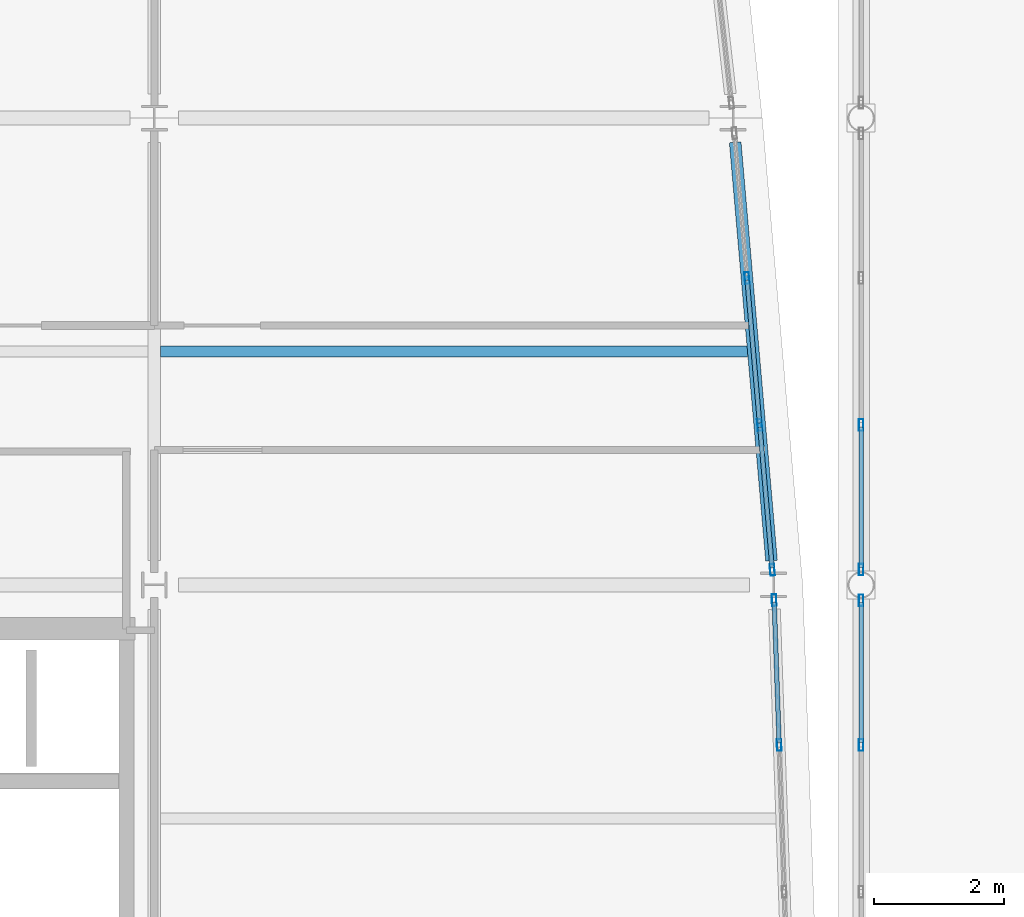
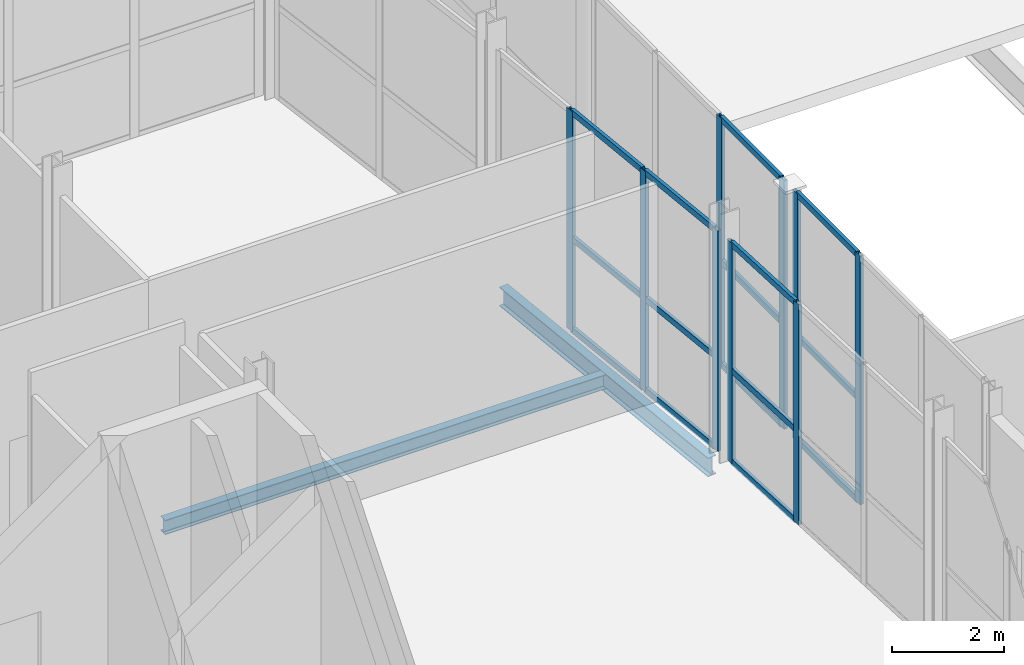
# One storey, part 32 of 83: 24 members, 2 beams, 4 elements without a shape of their own.
"""IFC4 building model written with IfcOpenShell, lengths in metres."""

from ifc_helpers import new_model, si_unit, direction, frame, origin, origin_2d, place, context, subcontext, project, spatial, hollow_rectangle, i_section, extrude, material, layer, layer_set, material_profile, profile_set, type_object, element, aggregate, save


model = new_model("IFC4")

# Units and contexts
model_context = context("Model", 3, precision=1e-05, world=origin(), true_north=direction((0.0, 1.0)))
body_context = subcontext(model_context, "Body", "Model", "MODEL_VIEW")
ifc_project = project(units=[si_unit("LENGTHUNIT", "METRE"), si_unit("AREAUNIT", "SQUARE_METRE"), si_unit("VOLUMEUNIT", "CUBIC_METRE"), si_unit("PLANEANGLEUNIT", "RADIAN"), si_unit("MASSUNIT", "GRAM", prefix="KILO")], contexts=[model_context])

# Site, building, storey
site_placement = place(None, origin())
site = spatial("IfcSite", under=ifc_project, at=site_placement, CompositionType="ELEMENT")
building_placement = place(site_placement, origin())
building = spatial("IfcBuilding", under=site, at=building_placement, Name="Quillay Park Conservatory", CompositionType="ELEMENT")
storey_placement = place(building_placement, origin())
storey = spatial("IfcBuildingStorey", under=building, at=storey_placement, Name="L00", CompositionType="ELEMENT", Elevation=0.0)

# Beam
ifc_material_1 = material(Name="Steel ASTM A992 Grade 50", Category="steel")
ifc_material_profile_1 = material_profile(ifc_material_1, i_section(OverallWidth=0.166015625, OverallDepth=0.31298828125, WebThickness=0.006591796875, FlangeThickness=0.01123046875, FilletRadius=0.010009765625, at=origin_2d()), Name="W310x45")
ifc_profile_set_1 = profile_set([ifc_material_profile_1], Name="Steel ASTM A992 Grade 50")
beam_type_1 = type_object("IfcBeamType", Name="COMPOSITE FLOOR JOIST W310 X45", PredefinedType="JOIST", material=ifc_profile_set_1)
beam_1_placement = place(storey_placement, frame((19.845947265625, 103.199951171875, -0.406494140625), z_axis=(1.0, 0.0, 0.0), x_axis=(0.0, 1.0, 0.0)))
element("IfcBeam", 1, at=beam_1_placement, inside=storey, type_object=beam_type_1, Name="L00 beam BM-J-0099", PredefinedType="JOIST", context=body_context, shape_type="SweptSolid", body=[
    extrude(i_section(OverallWidth=0.166015625, OverallDepth=0.31298828125, WebThickness=0.006591796875, FlangeThickness=0.01123046875, FilletRadius=0.010009765625, at=origin_2d()), origin(), (0.0, 0.0, 1.0), 9.051513671875),
])

# Curtain wall, members
ifc_material_2 = material(Name="Thermally Broken Anodised Aluminium 6063-T6", Category="aluminium")
ifc_layer_1 = layer(ifc_material_2, 0.179931640625)
ifc_layer_set_1 = layer_set([ifc_layer_1], Name="UNITISED CURTAIN WALL TOWER (Thermally Broken Anodised Aluminium 6063-T6)")
curtain_wall_type_1 = type_object("IfcCurtainWallType", Name="UNITISED CURTAIN WALL TOWER", PredefinedType="USERDEFINED", material=ifc_layer_set_1)
curtain_wall_1_placement = place(storey_placement, origin())
curtain_wall_1 = element("IfcCurtainWall", 2, at=curtain_wall_1_placement, inside=storey, type_object=curtain_wall_type_1, Name="L00 Unitised Curtain Wall 005", ObjectType="UNITISED CURTAIN WALL", PredefinedType="USERDEFINED")
ifc_material_3 = material(Name="Thermally Broken Anodised Aluminium 6063-T6", Category="aluminium")
ifc_material_profile_2 = material_profile(ifc_material_3, hollow_rectangle(XDim=0.070068359375, YDim=0.179931640625, WallThickness=0.00390625, at=origin_2d()), Name="AL70x180x4")
ifc_profile_set_2 = profile_set([ifc_material_profile_2], Name="Thermally Broken Anodised Aluminium 6063-T6")
member_type_1 = type_object("IfcMemberType", Name="CURTAIN WALL MULLION 70 X180", PredefinedType="MULLION", material=ifc_profile_set_2)
member_1_placement = place(storey_placement, frame((29.30810546875, 99.365234375, 0.0), z_axis=(0.0, 0.0, 1.0), x_axis=(0.999397310446, 0.034713338537, 0.0)))
member_1 = element("IfcMember", 3, at=member_1_placement, type_object=member_type_1, Name="CW-T1 mullion 1", PredefinedType="MULLION", context=body_context, shape_type="SweptSolid", body=[
    extrude(hollow_rectangle(XDim=0.070068359375, YDim=0.179931640625, WallThickness=0.00390625, at=origin_2d()), origin(), (0.0, 0.0, 1.0), 4.7890625),
])
member_2_placement = place(storey_placement, frame((29.3857421875, 97.13330078125, 0.0), z_axis=(0.0, 0.0, 1.0), x_axis=(0.999397310446, 0.034713338537, 0.0)))
member_2 = element("IfcMember", 4, at=member_2_placement, type_object=member_type_1, Name="CW-T1 mullion 2", PredefinedType="MULLION", context=body_context, shape_type="SweptSolid", body=[
    extrude(hollow_rectangle(XDim=0.070068359375, YDim=0.179931640625, WallThickness=0.00390625, at=origin_2d()), origin(), (0.0, 0.0, 1.0), 4.7890625),
])

curtain_wall_2_placement = place(storey_placement, origin())
curtain_wall_2 = element("IfcCurtainWall", 5, at=curtain_wall_2_placement, inside=storey, type_object=curtain_wall_type_1, Name="L00 Unitised Curtain Wall 006", ObjectType="UNITISED CURTAIN WALL", PredefinedType="USERDEFINED")
member_3_placement = place(storey_placement, frame((28.88916015625, 104.33349609375, 0.0), z_axis=(0.0, 0.0, 1.0), x_axis=(0.996253548413, 0.086480444465, 0.0)))
member_3 = element("IfcMember", 6, at=member_3_placement, type_object=member_type_1, Name="CW-T1 mullion 2", PredefinedType="MULLION", context=body_context, shape_type="SweptSolid", body=[
    extrude(hollow_rectangle(XDim=0.070068359375, YDim=0.179931640625, WallThickness=0.00390625, at=origin_2d()), origin(), (0.0, 0.0, 1.0), 4.7890625),
])
member_4_placement = place(storey_placement, frame((29.0859375, 102.06640625, 0.0), z_axis=(0.0, 0.0, 1.0), x_axis=(0.996253548413, 0.086480444465, 0.0)))
member_4 = element("IfcMember", 7, at=member_4_placement, type_object=member_type_1, Name="CW-T1 mullion 3", PredefinedType="MULLION", context=body_context, shape_type="SweptSolid", body=[
    extrude(hollow_rectangle(XDim=0.070068359375, YDim=0.179931640625, WallThickness=0.00390625, at=origin_2d()), origin(), (0.0, 0.0, 1.0), 4.7890625),
])
member_5_placement = place(storey_placement, frame((29.27978515625, 99.834228515625, 0.0), z_axis=(0.0, 0.0, 1.0), x_axis=(0.996253548413, 0.086480444465, 0.0)))
member_5 = element("IfcMember", 8, at=member_5_placement, type_object=member_type_1, Name="CW-T1 mullion 4", PredefinedType="MULLION", context=body_context, shape_type="SweptSolid", body=[
    extrude(hollow_rectangle(XDim=0.070068359375, YDim=0.179931640625, WallThickness=0.00390625, at=origin_2d()), origin(), (0.0, 0.0, 1.0), 4.7890625),
])

ifc_material_4 = material(Name="Thermally Broken Anodised Aluminium 6063-T6", Category="aluminium")
ifc_layer_2 = layer(ifc_material_4, 0.219970703125)
ifc_layer_set_2 = layer_set([ifc_layer_2], Name="UNITISED CURTAIN WALL CONSERVATORY (Thermally Broken Anodised Aluminium 6063-T6)")
curtain_wall_type_2 = type_object("IfcCurtainWallType", Name="UNITISED CURTAIN WALL CONSERVATORY", PredefinedType="USERDEFINED", material=ifc_layer_set_2)
curtain_wall_3_placement = place(storey_placement, origin())
curtain_wall_3 = element("IfcCurtainWall", 9, at=curtain_wall_3_placement, inside=storey, type_object=curtain_wall_type_2, Name="L00 Unitised Curtain Wall 163", ObjectType="UNITISED CURTAIN WALL", PredefinedType="USERDEFINED")
member_6_placement = place(storey_placement, frame((30.64990234375, 97.132568359375, 0.0), z_axis=(0.0, 0.0, 1.0), x_axis=(-1.0, 0.0, 0.0)))
member_6 = element("IfcMember", 10, at=member_6_placement, type_object=member_type_1, Name="CW-C1 mullion 3", PredefinedType="MULLION", context=body_context, shape_type="SweptSolid", body=[
    extrude(hollow_rectangle(XDim=0.070068359375, YDim=0.179931640625, WallThickness=0.00390625, at=origin_2d()), origin(), (0.0, 0.0, 1.0), 5.39990234375),
])
member_7_placement = place(storey_placement, frame((30.64990234375, 99.363037109375, 0.0), z_axis=(0.0, 0.0, 1.0), x_axis=(-1.0, 0.0, 0.0)))
member_7 = element("IfcMember", 11, at=member_7_placement, type_object=member_type_1, Name="CW-C1 mullion 4", PredefinedType="MULLION", context=body_context, shape_type="SweptSolid", body=[
    extrude(hollow_rectangle(XDim=0.070068359375, YDim=0.179931640625, WallThickness=0.00390625, at=origin_2d()), origin(), (0.0, 0.0, 1.0), 5.39990234375),
])

curtain_wall_4_placement = place(storey_placement, origin())
curtain_wall_4 = element("IfcCurtainWall", 12, at=curtain_wall_4_placement, inside=storey, type_object=curtain_wall_type_2, Name="L00 Unitised Curtain Wall 167", ObjectType="UNITISED CURTAIN WALL", PredefinedType="USERDEFINED")
member_8_placement = place(storey_placement, frame((30.64990234375, 99.8369140625, 0.0), z_axis=(0.0, 0.0, 1.0), x_axis=(-1.0, 0.0, 0.0)))
member_8 = element("IfcMember", 13, at=member_8_placement, type_object=member_type_1, Name="CW-C1 mullion 1", PredefinedType="MULLION", context=body_context, shape_type="SweptSolid", body=[
    extrude(hollow_rectangle(XDim=0.070068359375, YDim=0.179931640625, WallThickness=0.00390625, at=origin_2d()), origin(), (0.0, 0.0, 1.0), 5.39990234375),
])
member_9_placement = place(storey_placement, frame((30.64990234375, 102.0673828125, 0.0), z_axis=(0.0, 0.0, 1.0), x_axis=(-1.0, 0.0, 0.0)))
member_9 = element("IfcMember", 14, at=member_9_placement, type_object=member_type_1, Name="CW-C1 mullion 2", PredefinedType="MULLION", context=body_context, shape_type="SweptSolid", body=[
    extrude(hollow_rectangle(XDim=0.070068359375, YDim=0.179931640625, WallThickness=0.00390625, at=origin_2d()), origin(), (0.0, 0.0, 1.0), 5.39990234375),
])

# Member
ifc_material_5 = material(Name="Thermally Broken Anodised Aluminium 6063-T6", Category="aluminium")
ifc_material_profile_3 = material_profile(ifc_material_5, hollow_rectangle(XDim=0.070068359375, YDim=0.1298828125, WallThickness=0.003173828125, at=origin_2d()), Name="AL70x130x3.2")
ifc_profile_set_3 = profile_set([ifc_material_profile_3], Name="Thermally Broken Anodised Aluminium 6063-T6")
member_type_2 = type_object("IfcMemberType", Name="CURTAIN WALL TRANSOM 70 X130", PredefinedType="USERDEFINED", material=ifc_profile_set_3)
member_10_placement = place(storey_placement, frame((29.309326171875, 99.330078125, 0.034912109375), z_axis=(0.034765508592, -0.999395496994, 0.0), x_axis=(0.999395496994, 0.034765508592, 0.0)))
member_10 = element("IfcMember", 15, at=member_10_placement, type_object=member_type_2, Name="CW-T1 transom 1.1", ObjectType="TRANSOM", PredefinedType="USERDEFINED", context=body_context, shape_type="SweptSolid", body=[
    extrude(hollow_rectangle(XDim=0.070068359375, YDim=0.1298828125, WallThickness=0.003173828125, at=origin_2d()), origin(), (0.0, 0.0, 1.0), 2.162841796875),
])

member_11_placement = place(storey_placement, frame((29.309326171875, 99.330078125, 2.011474609375), z_axis=(0.034765508592, -0.999395496994, 0.0), x_axis=(0.999395496994, 0.034765508592, 0.0)))
member_11 = element("IfcMember", 16, at=member_11_placement, type_object=member_type_2, Name="CW-T1 transom 1.2", ObjectType="TRANSOM", PredefinedType="USERDEFINED", context=body_context, shape_type="SweptSolid", body=[
    extrude(hollow_rectangle(XDim=0.070068359375, YDim=0.1298828125, WallThickness=0.003173828125, at=origin_2d()), origin(), (0.0, 0.0, 1.0), 2.162841796875),
])

member_12_placement = place(storey_placement, frame((29.309326171875, 99.330078125, 4.75390625), z_axis=(0.034765508592, -0.999395496994, 0.0), x_axis=(0.999395496994, 0.034765508592, 0.0)))
member_12 = element("IfcMember", 17, at=member_12_placement, type_object=member_type_2, Name="CW-T1 transom 1.3", ObjectType="TRANSOM", PredefinedType="USERDEFINED", context=body_context, shape_type="SweptSolid", body=[
    extrude(hollow_rectangle(XDim=0.070068359375, YDim=0.1298828125, WallThickness=0.003173828125, at=origin_2d()), origin(), (0.0, 0.0, 1.0), 2.162841796875),
])

aggregate(curtain_wall_1, [member_1, member_2, member_10, member_11, member_12])

member_13_placement = place(storey_placement, frame((28.89208984375, 104.298583984375, 0.034912109375), z_axis=(0.086452876664, -0.99625594107, 0.0), x_axis=(0.99625594107, 0.086452876664, 0.0)))
member_13 = element("IfcMember", 18, at=member_13_placement, type_object=member_type_2, Name="CW-T1 transom 2.1", ObjectType="TRANSOM", PredefinedType="USERDEFINED", context=body_context, shape_type="SweptSolid", body=[
    extrude(hollow_rectangle(XDim=0.070068359375, YDim=0.1298828125, WallThickness=0.003173828125, at=origin_2d()), origin(), (0.0, 0.0, 1.0), 2.20556640625),
])

member_14_placement = place(storey_placement, frame((28.89208984375, 104.298583984375, 2.011474609375), z_axis=(0.086452876664, -0.99625594107, 0.0), x_axis=(0.99625594107, 0.086452876664, 0.0)))
member_14 = element("IfcMember", 19, at=member_14_placement, type_object=member_type_2, Name="CW-T1 transom 2.2", ObjectType="TRANSOM", PredefinedType="USERDEFINED", context=body_context, shape_type="SweptSolid", body=[
    extrude(hollow_rectangle(XDim=0.070068359375, YDim=0.1298828125, WallThickness=0.003173828125, at=origin_2d()), origin(), (0.0, 0.0, 1.0), 2.20556640625),
])

member_15_placement = place(storey_placement, frame((28.89208984375, 104.298583984375, 4.75390625), z_axis=(0.086452876664, -0.99625594107, 0.0), x_axis=(0.99625594107, 0.086452876664, 0.0)))
member_15 = element("IfcMember", 20, at=member_15_placement, type_object=member_type_2, Name="CW-T1 transom 2.3", ObjectType="TRANSOM", PredefinedType="USERDEFINED", context=body_context, shape_type="SweptSolid", body=[
    extrude(hollow_rectangle(XDim=0.070068359375, YDim=0.1298828125, WallThickness=0.003173828125, at=origin_2d()), origin(), (0.0, 0.0, 1.0), 2.20556640625),
])

member_16_placement = place(storey_placement, frame((29.0888671875, 102.031494140625, 0.034912109375), z_axis=(0.086498562623, -0.996251975488, 0.0), x_axis=(0.996251975488, 0.086498562623, 0.0)))
member_16 = element("IfcMember", 21, at=member_16_placement, type_object=member_type_2, Name="CW-T1 transom 3.1", ObjectType="TRANSOM", PredefinedType="USERDEFINED", context=body_context, shape_type="SweptSolid", body=[
    extrude(hollow_rectangle(XDim=0.070068359375, YDim=0.1298828125, WallThickness=0.003173828125, at=origin_2d()), origin(), (0.0, 0.0, 1.0), 2.17041015625),
])

member_17_placement = place(storey_placement, frame((29.0888671875, 102.031494140625, 2.011474609375), z_axis=(0.086498562623, -0.996251975488, 0.0), x_axis=(0.996251975488, 0.086498562623, 0.0)))
member_17 = element("IfcMember", 22, at=member_17_placement, type_object=member_type_2, Name="CW-T1 transom 3.2", ObjectType="TRANSOM", PredefinedType="USERDEFINED", context=body_context, shape_type="SweptSolid", body=[
    extrude(hollow_rectangle(XDim=0.070068359375, YDim=0.1298828125, WallThickness=0.003173828125, at=origin_2d()), origin(), (0.0, 0.0, 1.0), 2.17041015625),
])

member_18_placement = place(storey_placement, frame((29.0888671875, 102.031494140625, 4.75390625), z_axis=(0.086498562623, -0.996251975488, 0.0), x_axis=(0.996251975488, 0.086498562623, 0.0)))
member_18 = element("IfcMember", 23, at=member_18_placement, type_object=member_type_2, Name="CW-T1 transom 3.3", ObjectType="TRANSOM", PredefinedType="USERDEFINED", context=body_context, shape_type="SweptSolid", body=[
    extrude(hollow_rectangle(XDim=0.070068359375, YDim=0.1298828125, WallThickness=0.003173828125, at=origin_2d()), origin(), (0.0, 0.0, 1.0), 2.17041015625),
])

aggregate(curtain_wall_2, [member_3, member_4, member_5, member_13, member_14, member_15, member_16, member_17, member_18])

member_19_placement = place(storey_placement, frame((30.64990234375, 97.167724609375, 0.034912109375), z_axis=(0.0, 1.0, 0.0), x_axis=(-1.0, 0.0, 0.0)))
member_19 = element("IfcMember", 24, at=member_19_placement, type_object=member_type_2, Name="CW-C1 transom 3.1", ObjectType="TRANSOM", PredefinedType="USERDEFINED", context=body_context, shape_type="SweptSolid", body=[
    extrude(hollow_rectangle(XDim=0.070068359375, YDim=0.1298828125, WallThickness=0.003173828125, at=origin_2d()), origin(), (0.0, 0.0, 1.0), 2.16015625),
])

member_20_placement = place(storey_placement, frame((30.64990234375, 97.167724609375, 2.26806640625), z_axis=(0.0, 1.0, 0.0), x_axis=(-1.0, 0.0, 0.0)))
member_20 = element("IfcMember", 25, at=member_20_placement, type_object=member_type_2, Name="CW-C1 transom 3.2", ObjectType="TRANSOM", PredefinedType="USERDEFINED", context=body_context, shape_type="SweptSolid", body=[
    extrude(hollow_rectangle(XDim=0.070068359375, YDim=0.1298828125, WallThickness=0.003173828125, at=origin_2d()), origin(), (0.0, 0.0, 1.0), 2.16015625),
])

member_21_placement = place(storey_placement, frame((30.64990234375, 97.167724609375, 5.364990234375), z_axis=(0.0, 1.0, 0.0), x_axis=(-1.0, 0.0, 0.0)))
member_21 = element("IfcMember", 26, at=member_21_placement, type_object=member_type_2, Name="CW-C1 transom 3.3", ObjectType="TRANSOM", PredefinedType="USERDEFINED", context=body_context, shape_type="SweptSolid", body=[
    extrude(hollow_rectangle(XDim=0.070068359375, YDim=0.1298828125, WallThickness=0.003173828125, at=origin_2d()), origin(), (0.0, 0.0, 1.0), 2.16015625),
])

aggregate(curtain_wall_3, [member_6, member_7, member_19, member_20, member_21])

member_22_placement = place(storey_placement, frame((30.64990234375, 99.8720703125, 0.034912109375), z_axis=(0.0, 1.0, 0.0), x_axis=(-1.0, 0.0, 0.0)))
member_22 = element("IfcMember", 27, at=member_22_placement, type_object=member_type_2, Name="CW-C1 transom 1.1", ObjectType="TRANSOM", PredefinedType="USERDEFINED", context=body_context, shape_type="SweptSolid", body=[
    extrude(hollow_rectangle(XDim=0.070068359375, YDim=0.1298828125, WallThickness=0.003173828125, at=origin_2d()), origin(), (0.0, 0.0, 1.0), 2.16015625),
])

member_23_placement = place(storey_placement, frame((30.64990234375, 99.8720703125, 2.26806640625), z_axis=(0.0, 1.0, 0.0), x_axis=(-1.0, 0.0, 0.0)))
member_23 = element("IfcMember", 28, at=member_23_placement, type_object=member_type_2, Name="CW-C1 transom 1.2", ObjectType="TRANSOM", PredefinedType="USERDEFINED", context=body_context, shape_type="SweptSolid", body=[
    extrude(hollow_rectangle(XDim=0.070068359375, YDim=0.1298828125, WallThickness=0.003173828125, at=origin_2d()), origin(), (0.0, 0.0, 1.0), 2.16015625),
])

member_24_placement = place(storey_placement, frame((30.64990234375, 99.8720703125, 5.364990234375), z_axis=(0.0, 1.0, 0.0), x_axis=(-1.0, 0.0, 0.0)))
member_24 = element("IfcMember", 29, at=member_24_placement, type_object=member_type_2, Name="CW-C1 transom 1.3", ObjectType="TRANSOM", PredefinedType="USERDEFINED", context=body_context, shape_type="SweptSolid", body=[
    extrude(hollow_rectangle(XDim=0.070068359375, YDim=0.1298828125, WallThickness=0.003173828125, at=origin_2d()), origin(), (0.0, 0.0, 1.0), 2.16015625),
])

aggregate(curtain_wall_4, [member_8, member_9, member_22, member_23, member_24])

# Beam
ifc_material_6 = material(Name="Steel ASTM A992 Grade 50", Category="steel")
ifc_material_profile_4 = material_profile(ifc_material_6, i_section(OverallWidth=0.179931640625, OverallDepth=0.4130859375, WebThickness=0.009765625, FlangeThickness=0.01611328125, FilletRadius=0.011962890625, at=origin_2d()), Name="W410x74")
ifc_profile_set_4 = profile_set([ifc_material_profile_4], Name="Steel ASTM A992 Grade 50")
beam_type_2 = type_object("IfcBeamType", Name="PERIMETER SPANDREL BEAM W410 X74", PredefinedType="SPANDREL", material=ifc_profile_set_4)
beam_2_placement = place(storey_placement, frame((29.267578125, 99.9736328125, -0.45654296875), z_axis=(-0.086466963953, 0.996254718506, 0.0), x_axis=(-0.996254718506, -0.086466963953, 0.0)))
element("IfcBeam", 30, at=beam_2_placement, inside=storey, type_object=beam_type_2, Name="L00 beam BM-SPE-0095", PredefinedType="SPANDREL", context=body_context, shape_type="SweptSolid", body=[
    extrude(i_section(OverallWidth=0.179931640625, OverallDepth=0.4130859375, WebThickness=0.009765625, FlangeThickness=0.01611328125, FilletRadius=0.011962890625, at=origin_2d()), origin(), (0.0, 0.0, 1.0), 6.47705078125),
])

save(model, "model.ifc")
